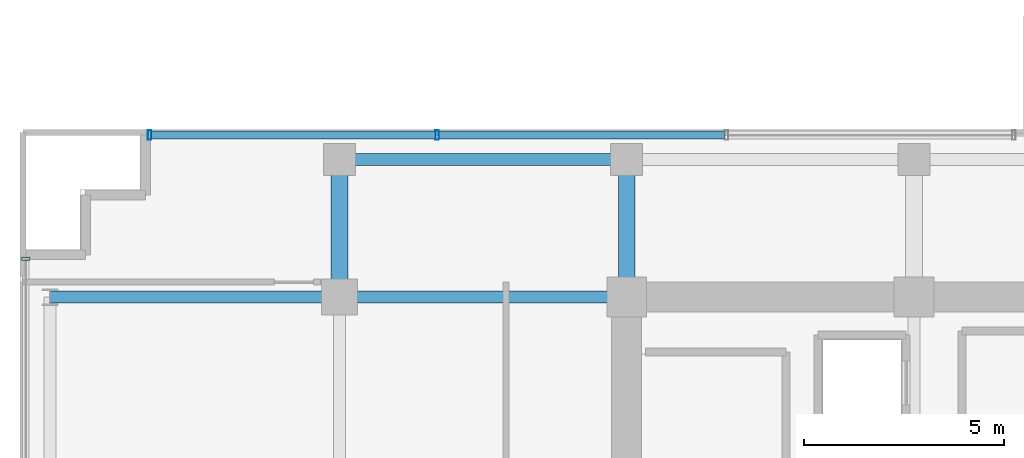
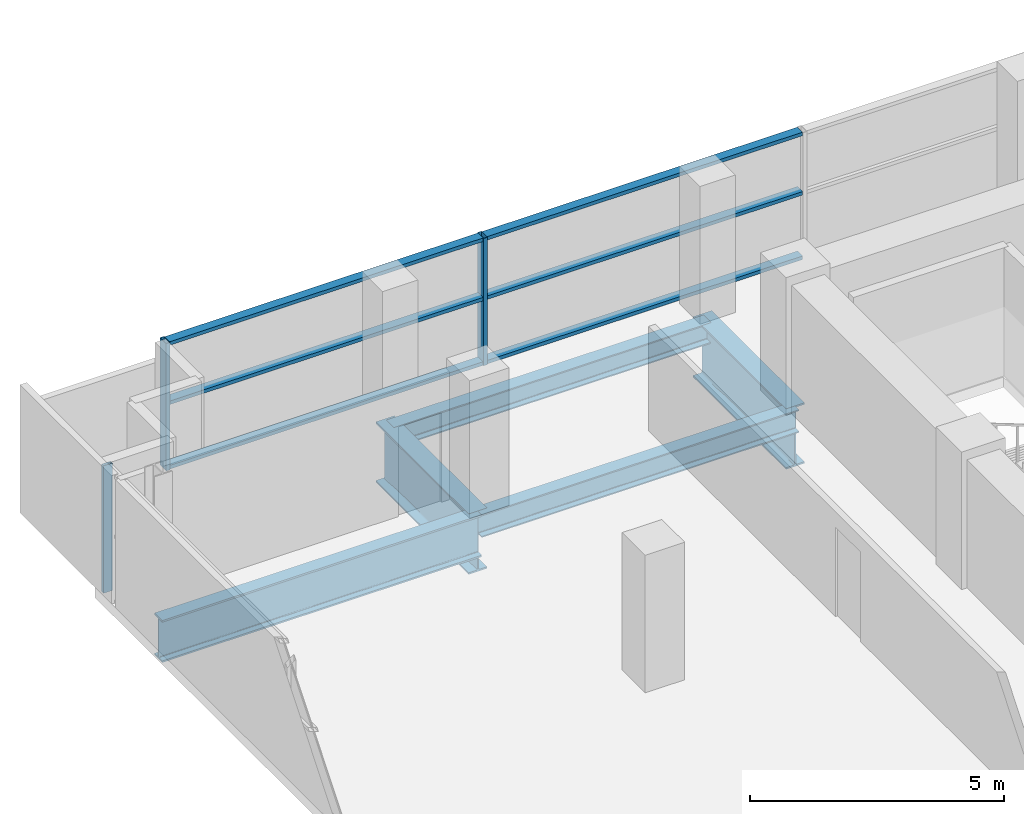
# One storey, part 14 of 27: 9 members, 5 beams, 2 elements without a shape of their own.
"""IFC4 building model written with IfcOpenShell, lengths in metres."""

from ifc_helpers import new_model, si_unit, direction, frame, origin, origin_2d, place, context, subcontext, project, spatial, hollow_rectangle, i_section, extrude, source, transform, mapped, material, layer, layer_set, material_profile, profile_set, type_object, element, aggregate, save


model = new_model("IFC4")

# Units and contexts
model_context = context("Model", 3, precision=1e-05, world=origin(), true_north=direction((0.0, 1.0)))
body_context = subcontext(model_context, "Body", "Model", "MODEL_VIEW")
ifc_project = project(units=[si_unit("LENGTHUNIT", "METRE"), si_unit("AREAUNIT", "SQUARE_METRE"), si_unit("VOLUMEUNIT", "CUBIC_METRE"), si_unit("PLANEANGLEUNIT", "RADIAN"), si_unit("MASSUNIT", "GRAM", prefix="KILO")], contexts=[model_context])

# Site, building, storey
site_placement = place(None, origin())
site = spatial("IfcSite", under=ifc_project, at=site_placement, CompositionType="ELEMENT")
building_placement = place(site_placement, origin())
building = spatial("IfcBuilding", under=site, at=building_placement, Name="Zarnakvel Exchange Tower", CompositionType="ELEMENT")
storey_placement = place(building_placement, frame((0.0, 0.0, 86.800048828125)))
storey = spatial("IfcBuildingStorey", under=building, at=storey_placement, Name="L23", CompositionType="ELEMENT", Elevation=86.800048828125)

# Beams
ifc_material_1 = material(Name="Steel S355", Category="steel")
ifc_material_profile_1 = material_profile(ifc_material_1, i_section(OverallWidth=0.300048828125, OverallDepth=0.550048828125, WebThickness=0.014892578125, FlangeThickness=0.029052734375, FilletRadius=0.027099609375, at=origin_2d()))
ifc_profile_set_1 = profile_set([ifc_material_profile_1], Name="Steel S355")
beam_type_1 = type_object("IfcBeamType", Name="G-05", PredefinedType="BEAM", material=ifc_profile_set_1)
beam_1_placement = place(storey_placement, frame((-21.60009765625, 13.5, -0.525146484375), z_axis=(1.0, 0.0, 0.0), x_axis=(0.0, 1.0, 0.0)))
element("IfcBeam", 1, at=beam_1_placement, inside=storey, type_object=beam_type_1, Name="L23 Tower E-W Frame Beam", PredefinedType="BEAM", context=body_context, shape_type="SweptSolid", body=[
    extrude(i_section(OverallWidth=0.300048828125, OverallDepth=0.550048828125, WebThickness=0.014892578125, FlangeThickness=0.029052734375, FilletRadius=0.027099609375, at=origin_2d()), origin(), (0.0, 0.0, 1.0), 7.2001953125),
])
ifc_material_profile_2 = material_profile(ifc_material_1, i_section(OverallWidth=0.300048828125, OverallDepth=0.5, WebThickness=0.014404296875, FlangeThickness=0.028076171875, FilletRadius=0.027099609375, at=origin_2d()))
ifc_profile_set_2 = profile_set([ifc_material_profile_2], Name="Steel S355")
beam_type_2 = type_object("IfcBeamType", Name="SP-02", PredefinedType="SPANDREL", material=ifc_profile_set_2)
beam_2_placement = place(storey_placement, frame((-21.60009765625, 16.949951171875, -0.5), z_axis=(1.0, 0.0, 0.0), x_axis=(0.0, 1.0, 0.0)))
element("IfcBeam", 2, at=beam_2_placement, inside=storey, type_object=beam_type_2, Name="L23 Tower E-W Frame Beam", PredefinedType="SPANDREL", context=body_context, shape_type="SweptSolid", body=[
    extrude(i_section(OverallWidth=0.300048828125, OverallDepth=0.5, WebThickness=0.014404296875, FlangeThickness=0.028076171875, FilletRadius=0.027099609375, at=origin_2d()), origin(), (0.0, 0.0, 1.0), 7.2001953125),
])
ifc_material_2 = material(Name="Steel S460", Category="steel")
ifc_material_profile_3 = material_profile(ifc_material_2, i_section(OverallWidth=0.419921875, OverallDepth=1.449951171875, WebThickness=0.02392578125, FlangeThickness=0.0400390625, FilletRadius=0.030029296875, at=origin_2d()))
ifc_profile_set_3 = profile_set([ifc_material_profile_3], Name="Steel S460")
beam_type_3 = type_object("IfcBeamType", Name="TG-01", PredefinedType="BEAM", material=ifc_profile_set_3)
for number, where, z_axis, x_axis, name in (
    (3, (-14.39990234375, 13.5, -0.97509765625), (0.0, 1.0, 0.0), (-1.0, 0.0, 0.0), "L23 Setback N-S Transfer Girder TN-4"),
    (4, (-21.60009765625, 13.5, -0.97509765625), (0.0, 1.0, 0.0), (-1.0, 0.0, 0.0), "L23 Setback N-S Transfer Girder TN-3"),
):
    element("IfcBeam", number, at=place(storey_placement, frame(where, z_axis=z_axis, x_axis=x_axis)), inside=storey, type_object=beam_type_3, Name=name, PredefinedType="BEAM", context=body_context, shape_type="SweptSolid", body=[
        extrude(i_section(OverallWidth=0.419921875, OverallDepth=1.449951171875, WebThickness=0.02392578125, FlangeThickness=0.0400390625, FilletRadius=0.030029296875, at=origin_2d()), origin(), (0.0, 0.0, 1.0), 3.64990234375),
    ])
ifc_material_profile_4 = material_profile(ifc_material_2, i_section(OverallWidth=0.302001953125, OverallDepth=1.008056640625, WebThickness=0.02099609375, FlangeThickness=0.0400390625, FilletRadius=0.030029296875, at=origin_2d()))
ifc_profile_set_4 = profile_set([ifc_material_profile_4], Name="Steel S460")
beam_type_4 = type_object("IfcBeamType", Name="TG-05", PredefinedType="BEAM", material=ifc_profile_set_4)
beam_3_placement = place(storey_placement, frame((-28.85009765625, 13.5, -0.754150390625), z_axis=(1.0, 0.0, 0.0), x_axis=(0.0, 1.0, 0.0)))
element("IfcBeam", 5, at=beam_3_placement, inside=storey, type_object=beam_type_4, Name="L23 Block-Shift Continuous Transfer TW-F", PredefinedType="BEAM", context=body_context, shape_type="SweptSolid", body=[
    extrude(i_section(OverallWidth=0.302001953125, OverallDepth=1.008056640625, WebThickness=0.02099609375, FlangeThickness=0.0400390625, FilletRadius=0.030029296875, at=origin_2d()), origin(), (0.0, 0.0, 1.0), 7.25),
])

# Curtain wall, members
ifc_material_3 = material(Name="Architectural Bronze Anodised Aluminium", Category="aluminium")
ifc_layer_1 = layer(ifc_material_3, 0.239990234375)
ifc_layer_set_1 = layer_set([ifc_layer_1], Name="Architectural Bronze Anodised Aluminium")
curtain_wall_type_1 = type_object("IfcCurtainWallType", Name="CW-02", PredefinedType="NOTDEFINED", material=ifc_layer_set_1)
curtain_wall_1_placement = place(storey_placement, origin())
curtain_wall_1 = element("IfcCurtainWall", 6, at=curtain_wall_1_placement, inside=storey, type_object=curtain_wall_type_1, Name="L23 Curtain Wall CW-L23-N1 (CW-02)", PredefinedType="NOTDEFINED")
ifc_material_profile_5 = material_profile(ifc_material_3, hollow_rectangle(XDim=0.239990234375, YDim=0.090087890625, WallThickness=0.006103515625, at=origin_2d()))
ifc_profile_set_5 = profile_set([ifc_material_profile_5], Name="Architectural Bronze Anodised Aluminium")
member_type_1 = type_object("IfcMemberType", Name="CWM-02", PredefinedType="MULLION", material=ifc_profile_set_5)
shared_shape_1 = source(origin(), body_context, "Body", "SweptSolid", [
    extrude(hollow_rectangle(XDim=0.239990234375, YDim=0.090087890625, WallThickness=0.006103515625, at=origin_2d()), origin(), (0.0, 0.0, 1.0), 3.054931640625),
])
member_1_placement = place(storey_placement, frame((-26.35498046875, 17.56005859375, 0.0), z_axis=(0.0, 0.0, 1.0), x_axis=(0.0, 1.0, 0.0)))
member_1 = element("IfcMember", 7, at=member_1_placement, type_object=member_type_1, Name="CW-02 mullion 1", PredefinedType="MULLION", context=body_context, shape_type="MappedRepresentation", body=[
    mapped(shared_shape_1, transform((0.0, 0.0, 0.0), x_axis=(1.0, 0.0, 0.0), y_axis=(0.0, 1.0, 0.0), z_axis=(0.0, 0.0, 1.0), scale=1.0)),
])
member_2_placement = place(storey_placement, frame((-19.14990234375, 17.56005859375, 0.0), z_axis=(0.0, 0.0, 1.0), x_axis=(0.0, 1.0, 0.0)))
member_2 = element("IfcMember", 8, at=member_2_placement, type_object=member_type_1, Name="CW-02 mullion 2", PredefinedType="MULLION", context=body_context, shape_type="MappedRepresentation", body=[
    mapped(shared_shape_1, transform((0.0, 0.0, 0.0), x_axis=(1.0, 0.0, 0.0), y_axis=(0.0, 1.0, 0.0), z_axis=(0.0, 0.0, 1.0), scale=1.0)),
])

# Curtain wall, member
ifc_layer_2 = layer(ifc_material_3, 0.199951171875)
ifc_layer_set_2 = layer_set([ifc_layer_2], Name="Architectural Bronze Anodised Aluminium")
curtain_wall_type_2 = type_object("IfcCurtainWallType", Name="CW-04", PredefinedType="NOTDEFINED", material=ifc_layer_set_2)
curtain_wall_2_placement = place(storey_placement, origin())
curtain_wall_2 = element("IfcCurtainWall", 9, at=curtain_wall_2_placement, inside=storey, type_object=curtain_wall_type_2, Name="L23 Curtain Wall CW-L23-W1 (CW-04)", PredefinedType="NOTDEFINED")
ifc_material_profile_6 = material_profile(ifc_material_3, hollow_rectangle(XDim=0.199951171875, YDim=0.074951171875, WallThickness=0.0048828125, at=origin_2d()))
ifc_profile_set_6 = profile_set([ifc_material_profile_6], Name="Architectural Bronze Anodised Aluminium")
member_type_2 = type_object("IfcMemberType", Name="CWM-04", PredefinedType="MULLION", material=ifc_profile_set_6)
shared_shape_2 = source(origin(), body_context, "Body", "SweptSolid", [
    extrude(hollow_rectangle(XDim=0.199951171875, YDim=0.074951171875, WallThickness=0.0048828125, at=origin_2d()), origin(), (0.0, 0.0, 1.0), 3.054931640625),
])
member_3_placement = place(storey_placement, frame((-29.4599609375, 14.46240234375, 0.0), z_axis=(0.0, 0.0, 1.0), x_axis=(-1.0, 0.0, 0.0)))
member_3 = element("IfcMember", 10, at=member_3_placement, type_object=member_type_2, Name="CW-04 mullion 5", PredefinedType="MULLION", context=body_context, shape_type="MappedRepresentation", body=[
    mapped(shared_shape_2, transform((0.0, 0.0, 0.0), x_axis=(1.0, 0.0, 0.0), y_axis=(0.0, 1.0, 0.0), z_axis=(0.0, 0.0, 1.0), scale=1.0)),
])
aggregate(curtain_wall_2, [member_3])

# Member
ifc_material_profile_7 = material_profile(ifc_material_3, hollow_rectangle(XDim=0.199951171875, YDim=0.0849609375, WallThickness=0.0048828125, at=origin_2d()))
ifc_profile_set_7 = profile_set([ifc_material_profile_7], Name="Architectural Bronze Anodised Aluminium")
member_type_3 = type_object("IfcMemberType", Name="CWT-02", PredefinedType="USERDEFINED", material=ifc_profile_set_7)
shared_shape_3 = source(origin(), body_context, "Body", "SweptSolid", [
    extrude(hollow_rectangle(XDim=0.199951171875, YDim=0.0849609375, WallThickness=0.0048828125, at=origin_2d()), origin(), (0.0, 0.0, 1.0), 7.114990234375),
])
member_4_placement = place(storey_placement, frame((-26.31005859375, 17.56005859375, 0.04248046875), z_axis=(1.0, 0.0, 0.0), x_axis=(0.0, 1.0, 0.0)))
member_4 = element("IfcMember", 11, at=member_4_placement, type_object=member_type_3, Name="CW-02 transom 1.1", ObjectType="TRANSOM", PredefinedType="USERDEFINED", context=body_context, shape_type="MappedRepresentation", body=[
    mapped(shared_shape_3, transform((0.0, 0.0, 0.0), x_axis=(1.0, 0.0, 0.0), y_axis=(0.0, 1.0, 0.0), z_axis=(0.0, 0.0, 1.0), scale=1.0)),
])

member_5_placement = place(storey_placement, frame((-26.31005859375, 17.56005859375, 1.588623046875), z_axis=(1.0, 0.0, 0.0), x_axis=(0.0, 1.0, 0.0)))
member_5 = element("IfcMember", 12, at=member_5_placement, type_object=member_type_3, Name="CW-02 transom 1.2", ObjectType="TRANSOM", PredefinedType="USERDEFINED", context=body_context, shape_type="MappedRepresentation", body=[
    mapped(shared_shape_3, transform((0.0, 0.0, 0.0), x_axis=(1.0, 0.0, 0.0), y_axis=(0.0, 1.0, 0.0), z_axis=(0.0, 0.0, 1.0), scale=1.0)),
])

member_6_placement = place(storey_placement, frame((-26.31005859375, 17.56005859375, 3.012451171875), z_axis=(1.0, 0.0, 0.0), x_axis=(0.0, 1.0, 0.0)))
member_6 = element("IfcMember", 13, at=member_6_placement, type_object=member_type_3, Name="CW-02 transom 1.3", ObjectType="TRANSOM", PredefinedType="USERDEFINED", context=body_context, shape_type="MappedRepresentation", body=[
    mapped(shared_shape_3, transform((0.0, 0.0, 0.0), x_axis=(1.0, 0.0, 0.0), y_axis=(0.0, 1.0, 0.0), z_axis=(0.0, 0.0, 1.0), scale=1.0)),
])

shared_shape_4 = source(origin(), body_context, "Body", "SweptSolid", [
    extrude(hollow_rectangle(XDim=0.199951171875, YDim=0.0849609375, WallThickness=0.0048828125, at=origin_2d()), origin(), (0.0, 0.0, 1.0), 7.159912109375),
])
member_7_placement = place(storey_placement, frame((-19.10498046875, 17.56005859375, 0.04248046875), z_axis=(1.0, 0.0, 0.0), x_axis=(0.0, 1.0, 0.0)))
member_7 = element("IfcMember", 14, at=member_7_placement, type_object=member_type_3, Name="CW-02 transom 2.1", ObjectType="TRANSOM", PredefinedType="USERDEFINED", context=body_context, shape_type="MappedRepresentation", body=[
    mapped(shared_shape_4, transform((0.0, 0.0, 0.0), x_axis=(1.0, 0.0, 0.0), y_axis=(0.0, 1.0, 0.0), z_axis=(0.0, 0.0, 1.0), scale=1.0)),
])

member_8_placement = place(storey_placement, frame((-19.10498046875, 17.56005859375, 1.588623046875), z_axis=(1.0, 0.0, 0.0), x_axis=(0.0, 1.0, 0.0)))
member_8 = element("IfcMember", 15, at=member_8_placement, type_object=member_type_3, Name="CW-02 transom 2.2", ObjectType="TRANSOM", PredefinedType="USERDEFINED", context=body_context, shape_type="MappedRepresentation", body=[
    mapped(shared_shape_4, transform((0.0, 0.0, 0.0), x_axis=(1.0, 0.0, 0.0), y_axis=(0.0, 1.0, 0.0), z_axis=(0.0, 0.0, 1.0), scale=1.0)),
])

member_9_placement = place(storey_placement, frame((-19.10498046875, 17.56005859375, 3.012451171875), z_axis=(1.0, 0.0, 0.0), x_axis=(0.0, 1.0, 0.0)))
member_9 = element("IfcMember", 16, at=member_9_placement, type_object=member_type_3, Name="CW-02 transom 2.3", ObjectType="TRANSOM", PredefinedType="USERDEFINED", context=body_context, shape_type="MappedRepresentation", body=[
    mapped(shared_shape_4, transform((0.0, 0.0, 0.0), x_axis=(1.0, 0.0, 0.0), y_axis=(0.0, 1.0, 0.0), z_axis=(0.0, 0.0, 1.0), scale=1.0)),
])

aggregate(curtain_wall_1, [member_1, member_2, member_4, member_5, member_6, member_7, member_8, member_9])

save(model, "model.ifc")
